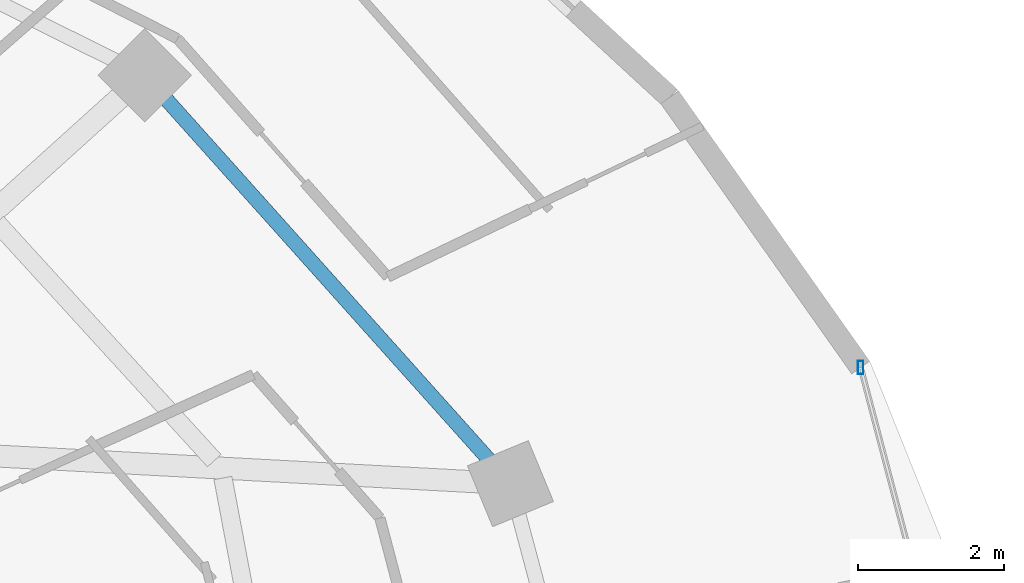
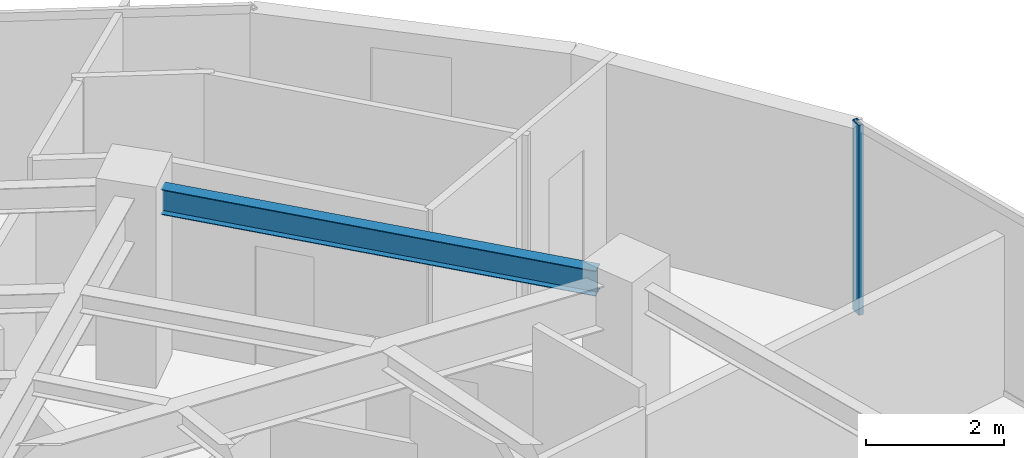
# One storey, part 16 of 34: 1 beam, 1 member, 1 element without a shape of its own.
"""IFC4 building model written with IfcOpenShell, lengths in metres."""

from ifc_helpers import new_model, si_unit, direction, frame, origin, origin_2d, place, context, subcontext, project, spatial, hollow_rectangle, i_section, extrude, material, material_profile, profile_set, type_object, element, aggregate, save


model = new_model("IFC4")

# Units and contexts
model_context = context("Model", 3, precision=1e-05, world=origin(), true_north=direction((0.0, 1.0)))
body_context = subcontext(model_context, "Body", "Model", "MODEL_VIEW")
ifc_project = project(units=[si_unit("LENGTHUNIT", "METRE"), si_unit("AREAUNIT", "SQUARE_METRE"), si_unit("VOLUMEUNIT", "CUBIC_METRE"), si_unit("PLANEANGLEUNIT", "RADIAN"), si_unit("MASSUNIT", "GRAM", prefix="KILO")], contexts=[model_context])

# Site, building, storey
site_placement = place(None, origin())
site = spatial("IfcSite", under=ifc_project, at=site_placement, CompositionType="ELEMENT")
building_placement = place(site_placement, origin())
building = spatial("IfcBuilding", under=site, at=building_placement, Name="Vorneva Point Tower", CompositionType="ELEMENT")
storey_placement = place(building_placement, frame((0.0, 0.0, 214.300048828125)))
storey = spatial("IfcBuildingStorey", under=building, at=storey_placement, Name="L58", CompositionType="ELEMENT", Elevation=214.300048828125)

# Beam
ifc_material_1 = material(Name="Steel S355", Category="steel")
ifc_material_profile_1 = material_profile(ifc_material_1, i_section(OverallWidth=0.198974609375, OverallDepth=0.446044921875, WebThickness=0.008056640625, FlangeThickness=0.011962890625, at=origin_2d()), Name="45B1")
ifc_profile_set_1 = profile_set([ifc_material_profile_1], Name="Steel S355")
beam_type = type_object("IfcBeamType", Name="BM-SPN-45B1", PredefinedType="SPANDREL", material=ifc_profile_set_1)
beam_placement = place(storey_placement, frame((59.005126953125, 32.90625, 3.06689453125), z_axis=(-0.66706970547, 0.744995307397, 0.0), x_axis=(-0.744995307397, -0.66706970547, 0.0)))
element("IfcBeam", 1, at=beam_placement, inside=storey, type_object=beam_type, Name="L58 Perimeter Spandrel Ring Beam 02", PredefinedType="SPANDREL", context=body_context, shape_type="SweptSolid", body=[
    extrude(i_section(OverallWidth=0.198974609375, OverallDepth=0.446044921875, WebThickness=0.008056640625, FlangeThickness=0.011962890625, at=origin_2d()), origin(), (0.0, 0.0, 1.0), 6.6201171875),
])

# Curtain wall, member
ifc_material_2 = material(Name="Pale anodised aluminium", Category="aluminium")
curtain_wall_type = type_object("IfcCurtainWallType", Name="CW-RES-SYS", PredefinedType="NOTDEFINED", material=ifc_material_2)
curtain_wall_placement = place(storey_placement, origin())
curtain_wall = element("IfcCurtainWall", 2, at=curtain_wall_placement, inside=storey, type_object=curtain_wall_type, Name="L58 Unitised Curtain Wall CW-L58-R01", PredefinedType="NOTDEFINED")
ifc_material_profile_2 = material_profile(ifc_material_2, hollow_rectangle(XDim=0.074951171875, YDim=0.179931640625, WallThickness=0.00390625, at=origin_2d()), Name="AL-MUL 180x75x4")
ifc_profile_set_2 = profile_set([ifc_material_profile_2], Name="Pale anodised aluminium")
member_type = type_object("IfcMemberType", Name="CW-MUL-180", PredefinedType="MULLION", material=ifc_profile_set_2)
member_placement = place(storey_placement, frame((64.0810546875, 34.17041015625, -0.0400390625), z_axis=(0.0, 0.0, 1.0), x_axis=(1.0, 0.0, 0.0)))
member = element("IfcMember", 3, at=member_placement, type_object=member_type, Name="CW-L58-R01 Mullion 03", PredefinedType="MULLION", context=body_context, shape_type="SweptSolid", body=[
    extrude(hollow_rectangle(XDim=0.074951171875, YDim=0.179931640625, WallThickness=0.00390625, at=origin_2d()), origin(), (0.0, 0.0, 1.0), 3.360107421875),
])
aggregate(curtain_wall, [member])

save(model, "model.ifc")
